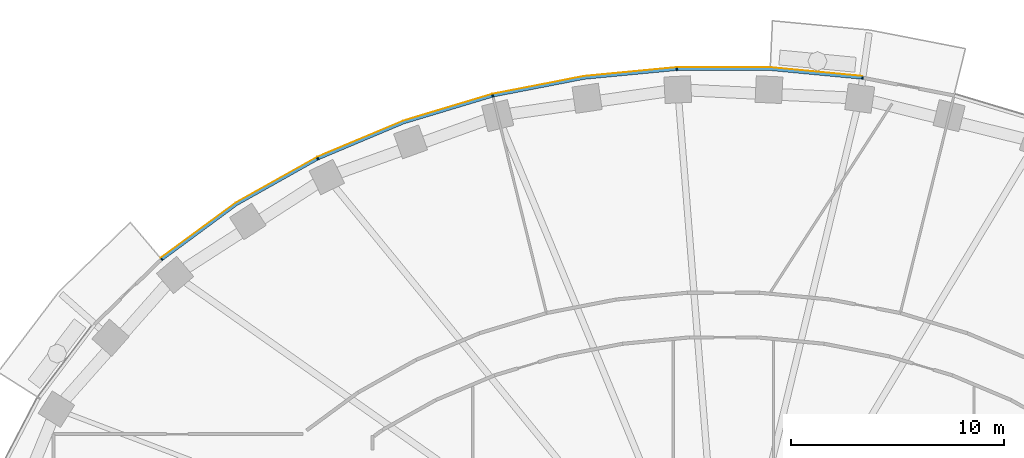
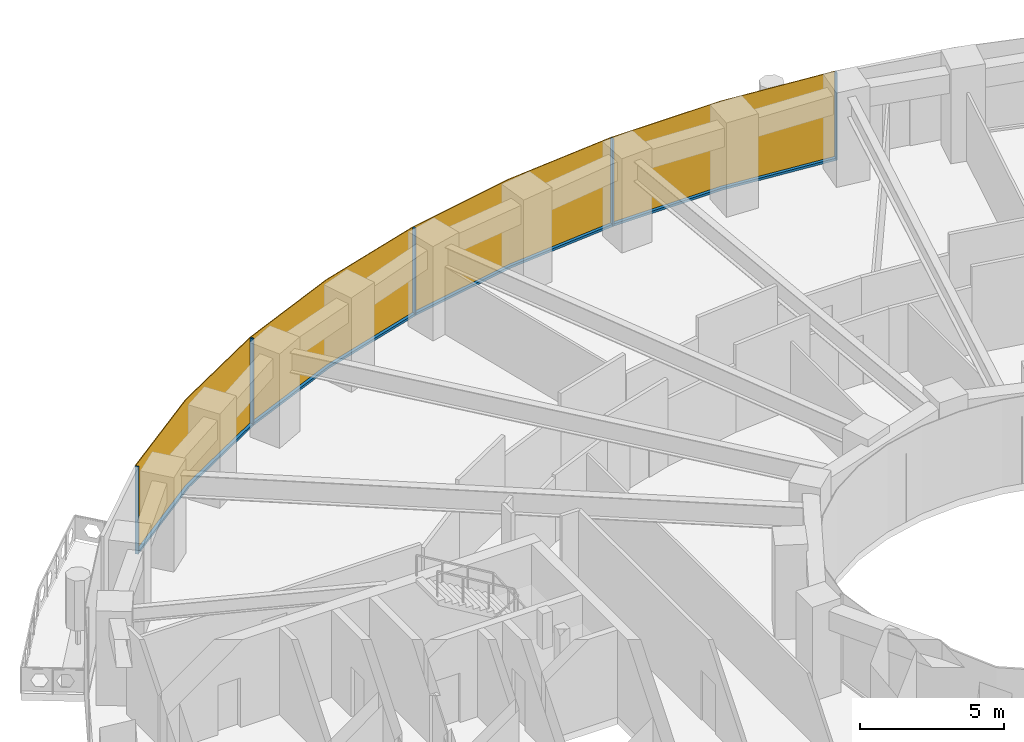
# One storey, part 11 of 16: 9 members, 1 curtain wall.
"""IFC4 building model written with IfcOpenShell, lengths in metres."""

from ifc_helpers import new_model, si_unit, direction, frame, origin, origin_2d, place, context, subcontext, project, spatial, polyline, rectangle, outline, extrude, material, layer, layer_set, material_profile, profile_set, type_object, element, aggregate, save


model = new_model("IFC4")

# Units and contexts
model_context = context("Model", 3, precision=1e-05, world=origin(), true_north=direction((0.0, 1.0)))
body_context = subcontext(model_context, "Body", "Model", "MODEL_VIEW")
ifc_project = project(units=[si_unit("LENGTHUNIT", "METRE"), si_unit("AREAUNIT", "SQUARE_METRE"), si_unit("VOLUMEUNIT", "CUBIC_METRE"), si_unit("PLANEANGLEUNIT", "RADIAN"), si_unit("MASSUNIT", "GRAM", prefix="KILO")], contexts=[model_context])

# Member
ifc_material_1 = material(Name="Aluminium 6063-T6 black anodised", Category="aluminium")
ifc_material_profile = material_profile(ifc_material_1, rectangle(XDim=0.1201171875, YDim=0.06005859375, at=origin_2d()), Name="120x60")
ifc_profile_set = profile_set([ifc_material_profile], Name="Aluminium 6063-T6 black anodised")
member_type_1 = type_object("IfcMemberType", Name="ENV-MULLION-A-120", PredefinedType="MULLION", material=ifc_profile_set)
site_placement = place(None, origin())
building_placement = place(site_placement, origin())
storey_placement = place(building_placement, frame((0.0, 0.0, 136.0)))
member_1_placement = place(storey_placement, frame((6.54638671875, 27.440185546875, 0.0), z_axis=(0.0, 0.0, 1.0), x_axis=(-0.143082012705, -0.989710835366, 0.0)))
member_1 = element("IfcMember", 1, at=member_1_placement, type_object=member_type_1, Name="Mullion A radial 11", PredefinedType="MULLION", context=body_context, shape_type="SweptSolid", body=[
    extrude(rectangle(XDim=0.1201171875, YDim=0.06005859375, at=origin_2d()), origin(), (0.0, 0.0, 1.0), 3.699951171875),
])

member_2_placement = place(storey_placement, frame((-2.188720703125, 27.856201171875, 0.0), z_axis=(0.0, 0.0, 1.0), x_axis=(0.047557873581, -0.998868484166, 0.0)))
member_2 = element("IfcMember", 2, at=member_2_placement, type_object=member_type_1, Name="Mullion A radial 13", PredefinedType="MULLION", context=body_context, shape_type="SweptSolid", body=[
    extrude(rectangle(XDim=0.1201171875, YDim=0.06005859375, at=origin_2d()), origin(), (0.0, 0.0, 1.0), 3.699951171875),
])

member_3_placement = place(storey_placement, frame((-10.84326171875, 26.60498046875, 0.0), z_axis=(0.0, 0.0, 1.0), x_axis=(0.239799081534, -0.970822538106, 0.0)))
member_3 = element("IfcMember", 3, at=member_3_placement, type_object=member_type_1, Name="Mullion A radial 15", PredefinedType="MULLION", context=body_context, shape_type="SweptSolid", body=[
    extrude(rectangle(XDim=0.1201171875, YDim=0.06005859375, at=origin_2d()), origin(), (0.0, 0.0, 1.0), 3.699951171875),
])

member_4_placement = place(storey_placement, frame((-19.06787109375, 23.6474609375, 0.0), z_axis=(0.0, 0.0, 1.0), x_axis=(0.439237769837, -0.898370848563, 0.0)))
member_4 = element("IfcMember", 4, at=member_4_placement, type_object=member_type_1, Name="Mullion A radial 17", PredefinedType="MULLION", context=body_context, shape_type="SweptSolid", body=[
    extrude(rectangle(XDim=0.1201171875, YDim=0.06005859375, at=origin_2d()), origin(), (0.0, 0.0, 1.0), 3.699951171875),
])

member_5_placement = place(storey_placement, frame((-26.403564453125, 18.9130859375, 0.0), z_axis=(0.0, 0.0, 1.0), x_axis=(0.646451313783, -0.762955240435, 0.0)))
member_5 = element("IfcMember", 5, at=member_5_placement, type_object=member_type_1, Name="Mullion A radial 19", PredefinedType="MULLION", context=body_context, shape_type="SweptSolid", body=[
    extrude(rectangle(XDim=0.1201171875, YDim=0.06005859375, at=origin_2d()), origin(), (0.0, 0.0, 1.0), 3.699951171875),
])

ifc_material_2 = material(Name="Aluminium 6063-T6 black anodised", Category="aluminium")
member_type_2 = type_object("IfcMemberType", Name="ENV-TRANSOM-A", PredefinedType="USERDEFINED", material=ifc_material_2)
member_6_placement = place(storey_placement, origin())
member_6 = element("IfcMember", 6, at=member_6_placement, type_object=member_type_2, Name="Transom A radial 11-13", ObjectType="TRANSOM", PredefinedType="USERDEFINED", context=body_context, shape_type="SweptSolid", body=[
    extrude(outline(polyline([(6.527099609375, 27.502197265625), (2.191650390625, 27.916015625), (-2.163818359375, 27.916015625), (-2.157958984375, 27.7958984375), (2.185791015625, 27.7958984375), (6.510009765625, 27.38330078125), (6.527099609375, 27.502197265625)])), origin(), (0.0, 0.0, 1.0), 0.10009765625),
])

member_7_placement = place(storey_placement, origin())
member_7 = element("IfcMember", 7, at=member_7_placement, type_object=member_type_2, Name="Transom A radial 13-15", ObjectType="TRANSOM", PredefinedType="USERDEFINED", context=body_context, shape_type="SweptSolid", body=[
    extrude(outline(polyline([(-2.219482421875, 27.913330078125), (-6.55517578125, 27.49951171875), (-10.830078125, 26.66845703125), (-10.80126953125, 26.552001953125), (-6.537841796875, 27.380615234375), (-2.2138671875, 27.793212890625), (-2.219482421875, 27.913330078125)])), origin(), (0.0, 0.0, 1.0), 0.10009765625),
])

member_8_placement = place(storey_placement, origin())
member_8 = element("IfcMember", 8, at=member_8_placement, type_object=member_type_2, Name="Transom A radial 15-17", ObjectType="TRANSOM", PredefinedType="USERDEFINED", context=body_context, shape_type="SweptSolid", body=[
    extrude(outline(polyline([(-10.884521484375, 26.655029296875), (-15.054443359375, 25.400146484375), (-19.068359375, 23.71240234375), (-19.015380859375, 23.604248046875), (-15.013916015625, 25.287109375), (-10.855712890625, 26.53857421875), (-10.884521484375, 26.655029296875)])), origin(), (0.0, 0.0, 1.0), 0.10009765625),
])

member_9_placement = place(storey_placement, origin())
member_9 = element("IfcMember", 9, at=member_9_placement, type_object=member_type_2, Name="Transom A radial 17-19", ObjectType="TRANSOM", PredefinedType="USERDEFINED", context=body_context, shape_type="SweptSolid", body=[
    extrude(outline(polyline([(-19.11865234375, 23.687744140625), (-22.9150390625, 21.556884765625), (-26.419921875, 18.975341796875), (-26.342041015625, 18.883544921875), (-22.85009765625, 21.455810546875), (-19.06591796875, 23.57958984375), (-19.11865234375, 23.687744140625)])), origin(), (0.0, 0.0, 1.0), 0.10009765625),
])

# Site, building, storey
site = spatial("IfcSite", under=ifc_project, at=site_placement, CompositionType="ELEMENT")
building = spatial("IfcBuilding", under=site, at=building_placement, Name="Noorbagh Ring Tower", CompositionType="ELEMENT")
storey = spatial("IfcBuildingStorey", under=building, at=storey_placement, Name="L31", CompositionType="ELEMENT", Elevation=136.0)

# Curtain wall
ifc_material_3 = material(Name="Glass dark tinted laminated", Category="glass")
ifc_layer = layer(ifc_material_3, 0.031982421875)
ifc_layer_set = layer_set([ifc_layer], Name="Glass dark tinted laminated")
curtain_wall_type = type_object("IfcCurtainWallType", Name="ENV-CW-A", PredefinedType="NOTDEFINED", material=ifc_layer_set)
curtain_wall_placement = place(storey_placement, origin())
curtain_wall = element("IfcCurtainWall", 10, at=curtain_wall_placement, inside=storey, type_object=curtain_wall_type, Name="Curtain wall A R11", PredefinedType="NOTDEFINED", context=body_context, shape_type="SweptSolid", body=[
    extrude(outline(polyline([(6.539794921875, 27.533203125), (2.193115234375, 27.947998046875), (-2.193115234375, 27.947998046875), (-6.559814453125, 27.53125), (-10.865234375, 26.6943359375), (-15.065185546875, 25.430419921875), (-19.108154296875, 23.730224609375), (-22.9326171875, 21.583740234375), (-26.447021484375, 18.9951171875), (-26.42626953125, 18.970703125), (-22.9150390625, 21.556884765625), (-19.093994140625, 23.701416015625), (-15.054443359375, 25.400146484375), (-10.857666015625, 26.6630859375), (-6.55517578125, 27.49951171875), (-2.191650390625, 27.916015625), (2.191650390625, 27.916015625), (6.53515625, 27.50146484375), (6.539794921875, 27.533203125)])), origin(), (0.0, 0.0, 1.0), 3.699951171875),
])

aggregate(curtain_wall, [member_1, member_2, member_3, member_4, member_5, member_6, member_7, member_8, member_9])

save(model, "model.ifc")
